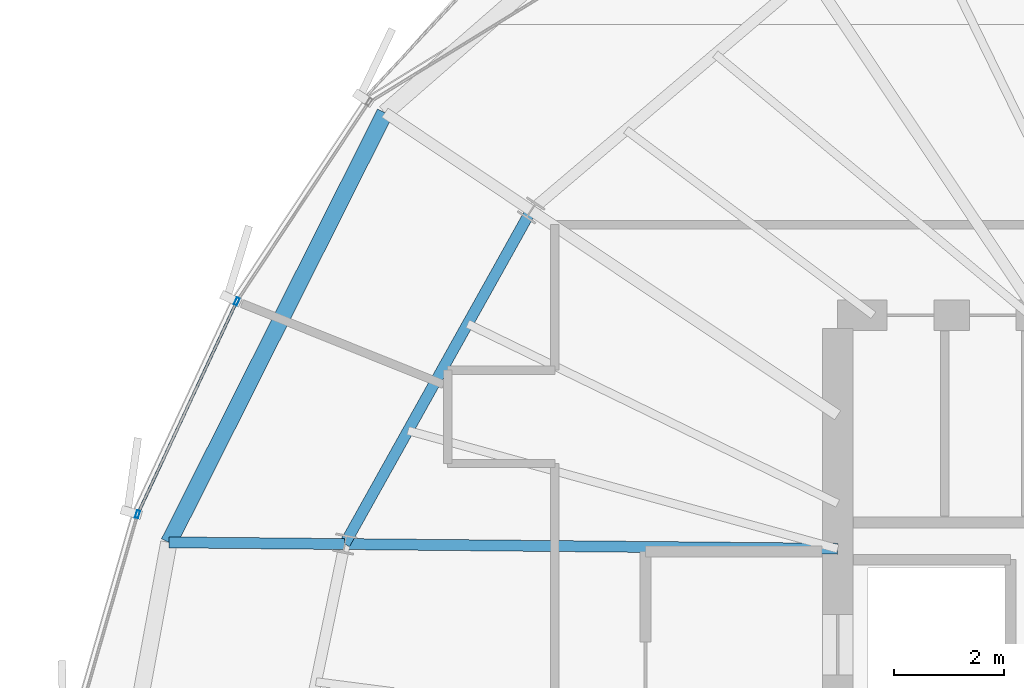
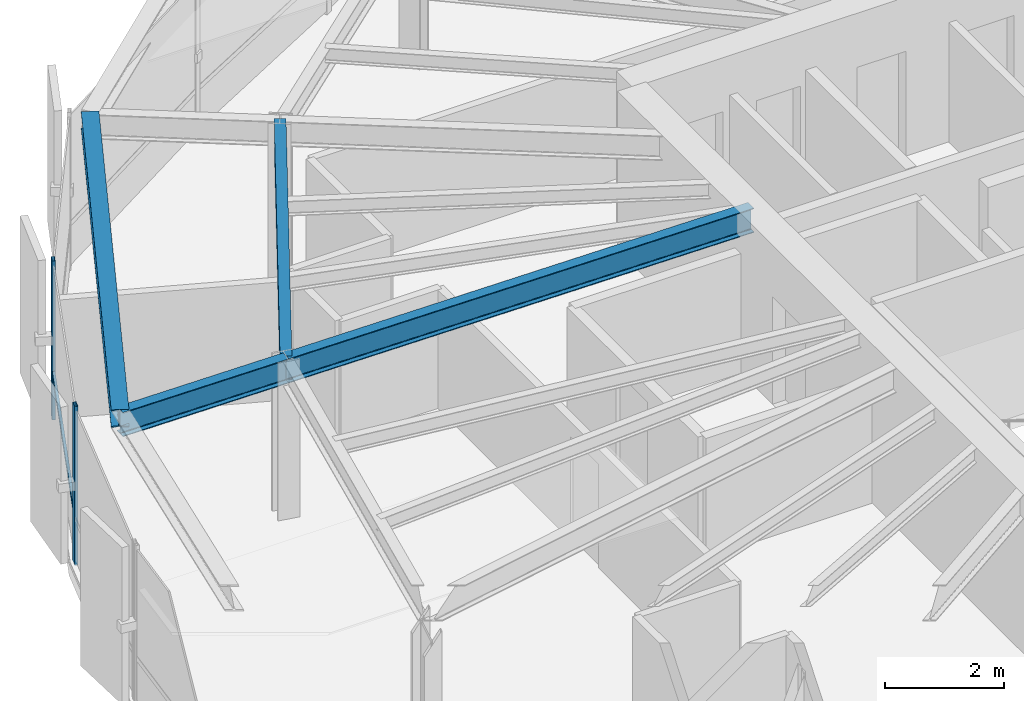
# One storey, part 10 of 33: 4 beams, 3 members, 1 element without a shape of its own.
"""IFC4 building model written with IfcOpenShell, lengths in metres."""

import ifcopenshell
import ifcopenshell.guid

model = None  # the IFC model being written
_history = None  # IfcOwnerHistory: only IFC2X3 demands one
_inside = {}  # id of a spatial element -> (the spatial element, [elements in it])
_under = {}  # id of a project, library or spatial element -> (it, [spatial elements below it])
_declared = {}  # id of a project -> (the project, [libraries it declares])
_typed = {}  # id of a type object -> (the type object, [elements of that type])
_made_of = {}  # id of a material, layer set ... -> (it, [elements and type objects made of it])


def new_model(schema):
    """Start an empty IFC model of exactly this schema.

    Asked for "IFC4X3", IfcOpenShell would pick the latest addendum, in which some entities
    have other attributes; the version numbers below select the first issue.
    IFC2X3 requires an IfcOwnerHistory on every rooted entity: one is made here for all.
    """
    global model, _history
    if schema == "IFC4X3":
        model = ifcopenshell.file(schema_version=(4, 3, 0, 0))
    else:
        model = ifcopenshell.file(schema=schema)
    _inside.clear()
    _under.clear()
    _declared.clear()
    _typed.clear()
    _made_of.clear()
    _history = None
    if model.schema == "IFC2X3":
        org = make("IfcOrganization", Name="unknown")
        user = make(
            "IfcPersonAndOrganization",
            ThePerson=make("IfcPerson", FamilyName="unknown"),
            TheOrganization=org,
        )
        app = make(
            "IfcApplication",
            ApplicationDeveloper=org,
            Version="unknown",
            ApplicationFullName="unknown",
            ApplicationIdentifier="unknown",
        )
        _history = make(
            "IfcOwnerHistory",
            OwningUser=user,
            OwningApplication=app,
            ChangeAction="ADDED",
            CreationDate=0,
        )
    return model


def make(cls, **values):
    """One entity of the class cls with the attributes given. An attribute that is None is left unset."""
    return model.create_entity(
        cls, **{name: value for name, value in values.items() if value is not None}
    )


def rooted(cls, **values):
    """An entity with a GlobalId (a new one), such as an element, a storey or a relation."""
    return make(cls, GlobalId=ifcopenshell.guid.new(), OwnerHistory=_history, **values)


def si_unit(unit_type, name, prefix=None):
    """IfcSIUnit, for example si_unit("LENGTHUNIT", "METRE", prefix="MILLI")."""
    return make("IfcSIUnit", UnitType=unit_type, Prefix=prefix, Name=name)


def assignment(units):
    """IfcUnitAssignment: the units of a project."""
    return None if units is None else make("IfcUnitAssignment", Units=units)


def point(xyz):
    """IfcCartesianPoint."""
    return None if xyz is None else make("IfcCartesianPoint", Coordinates=xyz)


def direction(xyz):
    """IfcDirection."""
    return None if xyz is None else make("IfcDirection", DirectionRatios=xyz)


def frame(location, z_axis=None, x_axis=None):
    """IfcAxis2Placement3D, a coordinate frame: its origin and axes. An axis left out is left unset."""
    return make(
        "IfcAxis2Placement3D",
        Location=point(location),
        Axis=direction(z_axis),
        RefDirection=direction(x_axis),
    )


def frame_2d(location, x_axis=None):
    """IfcAxis2Placement2D, a coordinate frame in the plane: its origin and x axis."""
    return make(
        "IfcAxis2Placement2D", Location=point(location), RefDirection=direction(x_axis)
    )


def origin():
    """The frame at (0, 0, 0) with its axes left unset."""
    return frame((0.0, 0.0, 0.0))


def origin_2d():
    """The frame at (0, 0) in the plane with its x axis left unset."""
    return frame_2d((0.0, 0.0))


def place(relative_to, where):
    """IfcLocalPlacement: puts the frame where relative to a parent placement (None: the world)."""
    return make(
        "IfcLocalPlacement", PlacementRelTo=relative_to, RelativePlacement=where
    )


def context(
    kind, dimensions, precision=None, world=None, true_north=None, identifier=None
):
    """IfcGeometricRepresentationContext, for example the 3D "Model" context."""
    return make(
        "IfcGeometricRepresentationContext",
        ContextIdentifier=identifier,
        ContextType=kind,
        CoordinateSpaceDimension=dimensions,
        Precision=precision,
        WorldCoordinateSystem=world,
        TrueNorth=true_north,
    )


def subcontext(parent, identifier, kind, view, scale=None):
    """IfcGeometricRepresentationSubContext, for example "Body" below "Model"."""
    return make(
        "IfcGeometricRepresentationSubContext",
        ContextIdentifier=identifier,
        ContextType=kind,
        ParentContext=parent,
        TargetScale=scale,
        TargetView=view,
    )


def project(units=None, contexts=None):
    """IfcProject with its units and contexts."""
    return rooted(
        "IfcProject",
        Name="project",
        RepresentationContexts=contexts,
        UnitsInContext=assignment(units),
    )


def spatial(cls, under=None, at=None, **own):
    """A site, building, storey or space (cls), placed at a placement, below another one or the project."""
    s = rooted(cls, ObjectPlacement=at, **own)
    if under is not None:
        _under.setdefault(under.id(), (under, []))[1].append(s)
    return s


def profile(cls, at=None, kind="AREA", **sizes):
    """A parametric profile (cls). Its sizes go by their IFC names, for example OverallWidth=200.0."""
    return make(cls, ProfileType=kind, Position=at, **sizes)


def hollow_rectangle(**sizes):
    """IfcRectangleHollowProfileDef."""
    return profile("IfcRectangleHollowProfileDef", **sizes)


def i_section(**sizes):
    """IfcIShapeProfileDef."""
    return profile("IfcIShapeProfileDef", **sizes)


def extrude(swept, where, along, depth):
    """IfcExtrudedAreaSolid: the profile swept, set in the frame where, extruded along a direction by depth."""
    return make(
        "IfcExtrudedAreaSolid",
        SweptArea=swept,
        Position=where,
        ExtrudedDirection=direction(along),
        Depth=depth,
    )


def shape(context_of_items, identifier, shape_type, items):
    """IfcShapeRepresentation: the items that make up one representation, for example the "Body"."""
    return make(
        "IfcShapeRepresentation",
        ContextOfItems=context_of_items,
        RepresentationIdentifier=identifier,
        RepresentationType=shape_type,
        Items=items,
    )


def source(mapping_origin, context_of_items, identifier, shape_type, items):
    """IfcRepresentationMap: a shape defined once, which mapped items show again and again."""
    return make(
        "IfcRepresentationMap",
        MappingOrigin=mapping_origin,
        MappedRepresentation=shape(context_of_items, identifier, shape_type, items),
    )


def transform(
    local_origin,
    x_axis=None,
    y_axis=None,
    z_axis=None,
    scale=None,
    scale2=None,
    scale3=None,
    uniform=True,
):
    """IfcCartesianTransformationOperator3D, or its non-uniform kind. x_axis, y_axis, z_axis: its Axis1, 2, 3."""
    if uniform:
        return make(
            "IfcCartesianTransformationOperator3D",
            Axis1=direction(x_axis),
            Axis2=direction(y_axis),
            LocalOrigin=point(local_origin),
            Scale=scale,
            Axis3=direction(z_axis),
        )
    return make(
        "IfcCartesianTransformationOperator3DnonUniform",
        Axis1=direction(x_axis),
        Axis2=direction(y_axis),
        LocalOrigin=point(local_origin),
        Scale=scale,
        Axis3=direction(z_axis),
        Scale2=scale2,
        Scale3=scale3,
    )


def mapped(mapping_source, mapping_target):
    """IfcMappedItem: shows the shape of a source again, moved by a transform."""
    return make(
        "IfcMappedItem", MappingSource=mapping_source, MappingTarget=mapping_target
    )


def material(Name=None, Category=None):
    """IfcMaterial."""
    return make("IfcMaterial", Name=Name, Category=Category)


def layer(
    of_material, thickness, ventilated=None, Name=None, Category=None, Priority=None
):
    """IfcMaterialLayer: one layer of a wall or slab, of a material (None: an air gap)."""
    return make(
        "IfcMaterialLayer",
        Material=of_material,
        LayerThickness=thickness,
        IsVentilated=ventilated,
        Name=Name,
        Category=Category,
        Priority=Priority,
    )


def layer_set(layers, Name=None):
    """IfcMaterialLayerSet."""
    return make("IfcMaterialLayerSet", MaterialLayers=layers, LayerSetName=Name)


def material_profile(
    of_material, cross_section, Name=None, Category=None, Priority=None
):
    """IfcMaterialProfile: a cross section and its material."""
    return make(
        "IfcMaterialProfile",
        Name=Name,
        Material=of_material,
        Profile=cross_section,
        Priority=Priority,
        Category=Category,
    )


def profile_set(profiles, Name=None, composite=None):
    """IfcMaterialProfileSet."""
    return make(
        "IfcMaterialProfileSet",
        Name=Name,
        MaterialProfiles=profiles,
        CompositeProfile=composite,
    )


def made_of(thing, what):
    """Note that an element or type object is made of a material, layer set ...; save() writes the relation."""
    if what is not None:
        _made_of.setdefault(what.id(), (what, []))[1].append(thing)
    return thing


def type_object(cls, material=None, **own):
    """A type object (cls), such as IfcWallType, which elements share."""
    return made_of(rooted(cls, **own), material)


def element(
    cls,
    number,
    at=None,
    inside=None,
    cuts=None,
    type_object=None,
    material=None,
    context=None,
    identifier="Body",
    shape_type=None,
    held_by="IfcProductDefinitionShape",
    body=None,
    shapes=None,
    **own,
):
    """One element of the class cls, such as IfcWall. Its Tag is "e" and its number.

    at: its placement. inside: the storey or other place that contains it. cuts: it is an
    opening in that element (IfcRelVoidsElement). A single representation is given by context,
    identifier, shape_type and body (its items); several are given by shapes. held_by: the class
    of the entity that holds the representations. save() writes the other relations.
    """
    e = rooted(cls, Tag="e%d" % number, ObjectPlacement=at, **own)
    if body is not None:
        shapes = [shape(context, identifier, shape_type, body)]
    if shapes is not None:
        e.Representation = make(held_by, Representations=shapes)
    if inside is not None:
        _inside.setdefault(inside.id(), (inside, []))[1].append(e)
    if cuts is not None:
        rooted(
            "IfcRelVoidsElement", RelatingBuildingElement=cuts, RelatedOpeningElement=e
        )
    if type_object is not None:
        _typed.setdefault(type_object.id(), (type_object, []))[1].append(e)
    return made_of(e, material)


def aggregate(whole, parts):
    """IfcRelAggregates: a whole, such as a stair, and the parts it consists of."""
    return rooted("IfcRelAggregates", RelatingObject=whole, RelatedObjects=parts)


def save(model, path):
    """Write the relations noted so far, then the file.

    IfcRelAggregates (storeys below a building ...), IfcRelContainedInSpatialStructure (elements
    in a storey), IfcRelDefinesByType, IfcRelAssociatesMaterial and IfcRelDeclares: one each for
    every whole, place, type object, material and project.
    """
    for whole, parts in _under.values():
        aggregate(whole, parts)
    for where, things in _inside.values():
        rooted(
            "IfcRelContainedInSpatialStructure",
            RelatedElements=things,
            RelatingStructure=where,
        )
    for kind, things in _typed.values():
        rooted("IfcRelDefinesByType", RelatedObjects=things, RelatingType=kind)
    for what, things in _made_of.values():
        rooted("IfcRelAssociatesMaterial", RelatedObjects=things, RelatingMaterial=what)
    for by, libraries in _declared.values():
        rooted("IfcRelDeclares", RelatingContext=by, RelatedDefinitions=libraries)
    model.write(path)


model = new_model("IFC4")

# Units and contexts
model_context = context("Model", 3, precision=1e-05, world=origin(), true_north=direction((0.0, 1.0)))
body_context = subcontext(model_context, "Body", "Model", "MODEL_VIEW")
ifc_project = project(units=[si_unit("LENGTHUNIT", "METRE"), si_unit("AREAUNIT", "SQUARE_METRE"), si_unit("VOLUMEUNIT", "CUBIC_METRE"), si_unit("PLANEANGLEUNIT", "RADIAN"), si_unit("MASSUNIT", "GRAM", prefix="KILO"), si_unit("THERMODYNAMICTEMPERATUREUNIT", "KELVIN")], contexts=[model_context])

# Site, building, storey
site_placement = place(None, origin())
site = spatial("IfcSite", under=ifc_project, at=site_placement, CompositionType="ELEMENT")
building_placement = place(site_placement, origin())
building = spatial("IfcBuilding", under=site, at=building_placement, Name="Kethvar Cultural Tower", CompositionType="ELEMENT")
storey_placement = place(building_placement, frame((0.0, 0.0, 211.39990234375)))
storey = spatial("IfcBuildingStorey", under=building, at=storey_placement, Name="L55", CompositionType="ELEMENT", Elevation=211.39990234375)

# Beams
ifc_material_1 = material(Name="Steel S355J2", Category="steel")
ifc_material_profile_1 = material_profile(ifc_material_1, i_section(OverallWidth=0.199951171875, OverallDepth=0.5, WebThickness=0.01025390625, FlangeThickness=0.01611328125, FilletRadius=0.02099609375, at=origin_2d()), Name="Steel S355J2 — IPE500")
ifc_profile_set_1 = profile_set([ifc_material_profile_1], Name="Steel S355J2 — IPE500")
beam_type_1 = type_object("IfcBeamType", Name="BM-IPE500", PredefinedType="BEAM", material=ifc_profile_set_1)
shared_shape_1 = source(origin(), body_context, "Body", "SweptSolid", [
    extrude(i_section(OverallWidth=0.199951171875, OverallDepth=0.5, WebThickness=0.01025390625, FlangeThickness=0.01611328125, FilletRadius=0.02099609375, at=origin_2d()), origin(), (0.0, 0.0, 1.0), 3.2001953125),
])
beam_1_placement = place(storey_placement, frame((29.02490234375, 31.335693359375, 3.008056640625), z_axis=(-0.999954526979, 0.009536455014, 0.0), x_axis=(-0.009536455014, -0.999954526979, 0.0)))
element("IfcBeam", 1, at=beam_1_placement, inside=storey, type_object=beam_type_1, Name="L55 Perimeter Cantilever Beam RC-08", PredefinedType="BEAM", context=body_context, shape_type="MappedRepresentation", body=[
    mapped(shared_shape_1, transform((0.0, 0.0, 0.0), scale=1.0)),
])
shared_shape_2 = source(origin(), body_context, "Body", "SweptSolid", [
    extrude(i_section(OverallWidth=0.199951171875, OverallDepth=0.5, WebThickness=0.01025390625, FlangeThickness=0.01611328125, FilletRadius=0.02099609375, at=origin_2d()), origin(), (0.0, 0.0, 1.0), 8.9755859375),
])
beam_2_placement = place(storey_placement, frame((38.0, 31.25, 3.008056640625), z_axis=(-0.999954421893, 0.00954746755, 0.0), x_axis=(-0.00954746755, -0.999954421893, 0.0)))
element("IfcBeam", 2, at=beam_2_placement, inside=storey, type_object=beam_type_1, Name="L55 Primary Radial Beam RB-08", PredefinedType="BEAM", context=body_context, shape_type="MappedRepresentation", body=[
    mapped(shared_shape_2, transform((0.0, 0.0, 0.0), scale=1.0)),
])
shared_shape_3 = source(origin(), body_context, "Body", "SweptSolid", [
    extrude(i_section(OverallWidth=0.199951171875, OverallDepth=0.5, WebThickness=0.01025390625, FlangeThickness=0.01611328125, FilletRadius=0.02099609375, at=origin_2d()), origin(), (0.0, 0.0, 1.0), 6.957275390625),
])
beam_3_placement = place(storey_placement, frame((32.418212890625, 37.409423828125, 3.008056640625), z_axis=(-0.487730122968, -0.872994459976, 0.0), x_axis=(0.872994459976, -0.487730122968, 0.0)))
element("IfcBeam", 3, at=beam_3_placement, inside=storey, type_object=beam_type_1, Name="L55 Column Ring Tie Beam CR-07", PredefinedType="BEAM", context=body_context, shape_type="MappedRepresentation", body=[
    mapped(shared_shape_3, transform((0.0, 0.0, 0.0), scale=1.0)),
])
ifc_material_profile_2 = material_profile(ifc_material_1, i_section(OverallWidth=0.300048828125, OverallDepth=0.360107421875, WebThickness=0.012451171875, FlangeThickness=0.0224609375, FilletRadius=0.027099609375, at=origin_2d()), Name="Steel S355J2 — HEB360")
ifc_profile_set_2 = profile_set([ifc_material_profile_2], Name="Steel S355J2 — HEB360")
beam_type_2 = type_object("IfcBeamType", Name="BM-SP360", PredefinedType="SPANDREL", material=ifc_profile_set_2)
shared_shape_4 = source(origin(), body_context, "Body", "SweptSolid", [
    extrude(i_section(OverallWidth=0.300048828125, OverallDepth=0.360107421875, WebThickness=0.012451171875, FlangeThickness=0.0224609375, FilletRadius=0.027099609375, at=origin_2d()), origin(), (0.0, 0.0, 1.0), 8.754150390625),
])
beam_4_placement = place(storey_placement, frame((29.757568359375, 39.187255859375, 3.078125), z_axis=(-0.449231599727, -0.893415340033, 0.0), x_axis=(0.893415340033, -0.449231599727, 0.0)))
element("IfcBeam", 4, at=beam_4_placement, inside=storey, type_object=beam_type_2, Name="L55 Perimeter Spandrel Beam SP-07", PredefinedType="SPANDREL", context=body_context, shape_type="MappedRepresentation", body=[
    mapped(shared_shape_4, transform((0.0, 0.0, 0.0), scale=1.0)),
])

# Curtain wall, members
ifc_material_2 = material(Name="Aluminium 6063-T6", Category="aluminium")
ifc_layer = layer(ifc_material_2, 0.179931640625, Name="Aluminium 6063-T6", Category="aluminium")
ifc_layer_set = layer_set([ifc_layer], Name="Aluminium 6063-T6 (180 mm)")
curtain_wall_type = type_object("IfcCurtainWallType", Name="CW-SYS-04-Z34", PredefinedType="NOTDEFINED", material=ifc_layer_set)
curtain_wall_placement = place(storey_placement, origin())
curtain_wall = element("IfcCurtainWall", 5, at=curtain_wall_placement, inside=storey, type_object=curtain_wall_type, Name="L55 Curtain Wall Run 02", PredefinedType="NOTDEFINED")
ifc_material_profile_3 = material_profile(ifc_material_2, hollow_rectangle(XDim=0.06005859375, YDim=0.139892578125, WallThickness=0.0048828125, at=origin_2d()), Name="Aluminium 6063-T6 — RHS140x60x5")
ifc_profile_set_3 = profile_set([ifc_material_profile_3], Name="Aluminium 6063-T6 — RHS140x60x5")
member_type_1 = type_object("IfcMemberType", Name="CW-SYS-04-Z34-MUL", PredefinedType="MULLION", material=ifc_profile_set_3)
shared_shape_5 = source(origin(), body_context, "Body", "SweptSolid", [
    extrude(hollow_rectangle(XDim=0.06005859375, YDim=0.139892578125, WallThickness=0.0048828125, at=origin_2d()), origin(), (0.0, 0.0, 1.0), 3.260009765625),
])
member_1_placement = place(storey_placement, frame((27.06103515625, 35.75244140625, 0.0), z_axis=(0.0, 0.0, 1.0), x_axis=(0.906447882725, -0.422317695466, 0.0)))
member_1 = element("IfcMember", 6, at=member_1_placement, type_object=member_type_1, Name="CW-L55-R02 Mullion 5", PredefinedType="MULLION", context=body_context, shape_type="MappedRepresentation", body=[
    mapped(shared_shape_5, transform((0.0, 0.0, 0.0), scale=1.0)),
])
member_2_placement = place(storey_placement, frame((25.25439453125, 31.877685546875, 0.0), z_axis=(0.0, 0.0, 1.0), x_axis=(0.961054561734, -0.276358696932, 0.0)))
member_2 = element("IfcMember", 7, at=member_2_placement, type_object=member_type_1, Name="CW-L55-R02 Mullion 6", PredefinedType="MULLION", context=body_context, shape_type="MappedRepresentation", body=[
    mapped(shared_shape_5, transform((0.0, 0.0, 0.0), scale=1.0)),
])
ifc_material_profile_4 = material_profile(ifc_material_2, hollow_rectangle(XDim=0.050048828125, YDim=0.10009765625, WallThickness=0.00390625, at=origin_2d()), Name="Aluminium 6063-T6 — RHS100x50x4")
ifc_profile_set_4 = profile_set([ifc_material_profile_4], Name="Aluminium 6063-T6 — RHS100x50x4")
member_type_2 = type_object("IfcMemberType", Name="CW-SYS-04-Z34-TRN", PredefinedType="USERDEFINED", material=ifc_profile_set_4)
shared_shape_6 = source(origin(), body_context, "Body", "SweptSolid", [
    extrude(hollow_rectangle(XDim=0.050048828125, YDim=0.10009765625, WallThickness=0.00390625, at=origin_2d()), origin(), (0.0, 0.0, 1.0), 4.2060546875),
])
member_3_placement = place(storey_placement, frame((27.04296875, 35.71337890625, 0.9501953125), z_axis=(-0.422338828891, -0.906438036278, 0.0), x_axis=(0.906438036278, -0.422338828891, 0.0)))
member_3 = element("IfcMember", 8, at=member_3_placement, type_object=member_type_2, Name="CW-L55-R02 Transom 5", ObjectType="TRANSOM", PredefinedType="USERDEFINED", context=body_context, shape_type="MappedRepresentation", body=[
    mapped(shared_shape_6, transform((0.0, 0.0, 0.0), scale=1.0)),
])
aggregate(curtain_wall, [member_1, member_2, member_3])

save(model, "model.ifc")
